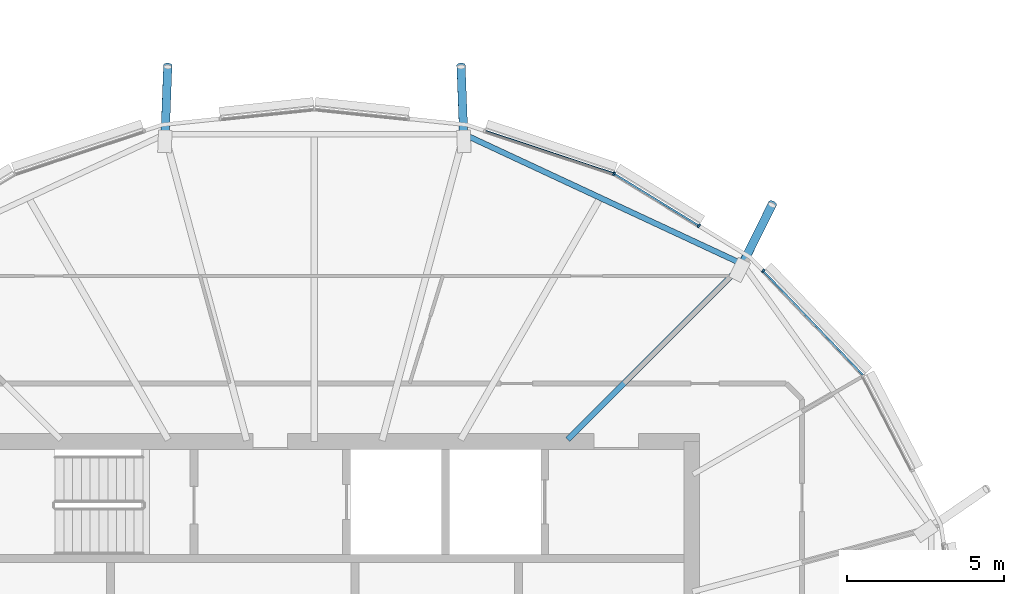
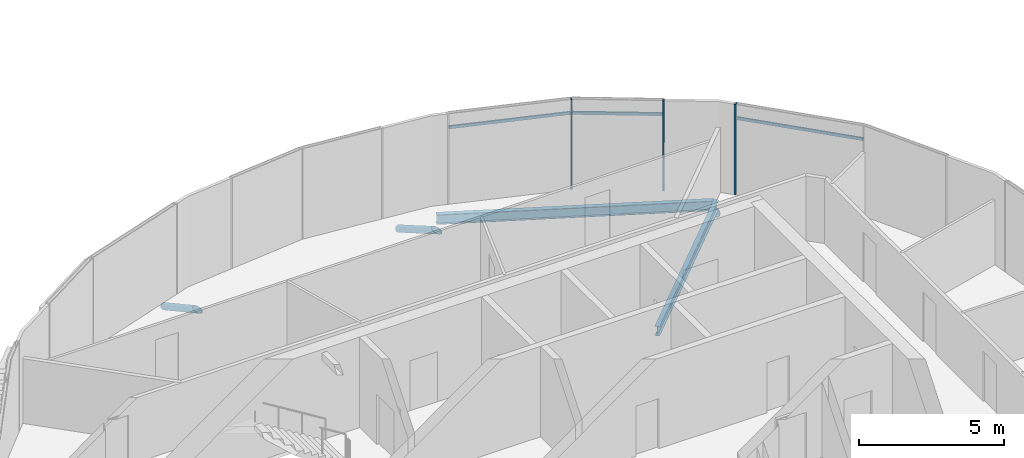
# One storey, part 8 of 35: 9 members, 2 beams, 1 element without a shape of its own.
"""IFC4 building model written with IfcOpenShell, lengths in metres."""

from ifc_helpers import new_model, si_unit, direction, frame, origin, origin_2d, place, context, subcontext, project, spatial, rectangle, hollow_circle, i_section, extrude, clip, halfspace, material, material_profile, profile_set, type_object, element, aggregate, save


model = new_model("IFC4")

# Units and contexts
model_context = context("Model", 3, precision=1e-05, world=origin(), true_north=direction((0.0, 1.0)))
body_context = subcontext(model_context, "Body", "Model", "MODEL_VIEW")
ifc_project = project(units=[si_unit("LENGTHUNIT", "METRE"), si_unit("AREAUNIT", "SQUARE_METRE"), si_unit("VOLUMEUNIT", "CUBIC_METRE"), si_unit("PLANEANGLEUNIT", "RADIAN"), si_unit("MASSUNIT", "GRAM", prefix="KILO")], contexts=[model_context])

# Site, building, storey
site_placement = place(None, origin())
site = spatial("IfcSite", under=ifc_project, at=site_placement, CompositionType="ELEMENT")
building_placement = place(site_placement, origin())
building = spatial("IfcBuilding", under=site, at=building_placement, Name="Rimbun Link Towers", CompositionType="ELEMENT")
storey_placement = place(building_placement, frame((0.0, 0.0, 225.699951171875)))
storey = spatial("IfcBuildingStorey", under=building, at=storey_placement, Name="L55", CompositionType="ELEMENT", Elevation=225.699951171875)

# Curtain wall, members
ifc_material_1 = material(Name="Aluminium 6063-T6 and low-iron glass", Category="aluminium")
curtain_wall_type = type_object("IfcCurtainWallType", Name="CW1-Z4 unitised vision wall (zone 4)", PredefinedType="NOTDEFINED", material=ifc_material_1)
curtain_wall_placement = place(storey_placement, origin())
curtain_wall = element("IfcCurtainWall", 1, at=curtain_wall_placement, inside=storey, type_object=curtain_wall_type, Name="CW1 L55 T1", PredefinedType="NOTDEFINED")
ifc_material_2 = material(Name="Aluminium 6063-T6", Category="aluminium")
ifc_material_profile_1 = material_profile(ifc_material_2, rectangle(XDim=0.1201171875, YDim=0.06005859375, at=origin_2d()), Name="MULLION 60X120")
ifc_profile_set_1 = profile_set([ifc_material_profile_1], Name="Aluminium 6063-T6")
member_type_1 = type_object("IfcMemberType", Name="CW1 mullion 60X120", PredefinedType="MULLION", material=ifc_profile_set_1)
member_1_placement = place(storey_placement, frame((-17.4765625, 13.42333984375, 0.0), z_axis=(0.0, 0.0, 1.0), x_axis=(0.721853472084, 0.692045926829, 0.0)))
member_1 = element("IfcMember", 2, at=member_1_placement, type_object=member_type_1, Name="CW1 mullion", PredefinedType="MULLION", context=body_context, shape_type="SweptSolid", body=[
    extrude(rectangle(XDim=0.1201171875, YDim=0.06005859375, at=origin_2d()), origin(), (0.0, 0.0, 1.0), 3.800048828125),
])
member_2_placement = place(storey_placement, frame((-22.220458984375, 16.51611328125, 0.0), z_axis=(0.0, 0.0, 1.0), x_axis=(0.421702193119, 0.90673439348, 0.0)))
member_2 = element("IfcMember", 3, at=member_2_placement, type_object=member_type_1, Name="CW1 mullion", PredefinedType="MULLION", context=body_context, shape_type="SweptSolid", body=[
    extrude(rectangle(XDim=0.1201171875, YDim=0.06005859375, at=origin_2d()), origin(), (0.0, 0.0, 1.0), 3.800048828125),
])
member_3_placement = place(storey_placement, frame((-19.522705078125, 14.8603515625, 0.0), z_axis=(0.0, 0.0, 1.0), x_axis=(0.523236839844, 0.852187308888, 0.0)))
member_3 = element("IfcMember", 4, at=member_3_placement, type_object=member_type_1, Name="CW1 mullion", PredefinedType="MULLION", context=body_context, shape_type="SweptSolid", body=[
    extrude(rectangle(XDim=0.1201171875, YDim=0.06005859375, at=origin_2d()), origin(), (0.0, 0.0, 1.0), 3.800048828125),
])
ifc_material_3 = material(Name="Aluminium 6063-T6", Category="aluminium")
ifc_material_profile_2 = material_profile(ifc_material_3, rectangle(XDim=0.06005859375, YDim=0.1201171875, at=origin_2d()), Name="TRANSOM 60X120")
ifc_profile_set_2 = profile_set([ifc_material_profile_2], Name="Aluminium 6063-T6")
member_type_2 = type_object("IfcMemberType", Name="CW1 transom 60X120", PredefinedType="USERDEFINED", material=ifc_profile_set_2)
member_4_placement = place(storey_placement, frame((-17.45703125, 13.400390625, 3.199951171875), z_axis=(0.692048801136, -0.721850716455, 0.0), x_axis=(0.721850716455, 0.692048801136, 0.0)))
member_4 = element("IfcMember", 5, at=member_4_placement, type_object=member_type_2, Name="CW1 transom", ObjectType="TRANSOM", PredefinedType="USERDEFINED", context=body_context, shape_type="SweptSolid", body=[
    extrude(rectangle(XDim=0.06005859375, YDim=0.1201171875, at=origin_2d()), origin(), (0.0, 0.0, 1.0), 4.546630859375),
])
member_5_placement = place(storey_placement, frame((-22.18994140625, 16.49560546875, 3.199951171875), z_axis=(0.852185401851, -0.523239945792, 0.0), x_axis=(0.523239945792, 0.852185401851, 0.0)))
member_5 = element("IfcMember", 6, at=member_5_placement, type_object=member_type_2, Name="CW1 transom", ObjectType="TRANSOM", PredefinedType="USERDEFINED", context=body_context, shape_type="SweptSolid", body=[
    extrude(rectangle(XDim=0.06005859375, YDim=0.1201171875, at=origin_2d()), origin(), (0.0, 0.0, 1.0), 3.0986328125),
])
member_6_placement = place(storey_placement, frame((-26.307373046875, 17.868896484375, 3.199951171875), z_axis=(0.949236712638, -0.31456265414, 0.0), x_axis=(0.31456265414, 0.949236712638, 0.0)))
member_6 = element("IfcMember", 7, at=member_6_placement, type_object=member_type_2, Name="CW1 transom", ObjectType="TRANSOM", PredefinedType="USERDEFINED", context=body_context, shape_type="SweptSolid", body=[
    extrude(rectangle(XDim=0.06005859375, YDim=0.1201171875, at=origin_2d()), origin(), (0.0, 0.0, 1.0), 4.267822265625),
])
aggregate(curtain_wall, [member_1, member_2, member_3, member_4, member_5, member_6])

# Members
ifc_material_4 = material(Name="Steel S355J2H", Category="steel")
ifc_material_profile_3 = material_profile(ifc_material_4, hollow_circle(Radius=0.136474609375, WallThickness=0.012451171875, at=origin_2d()), Name="CHS 273x12.5")
ifc_profile_set_3 = profile_set([ifc_material_profile_3], Name="Steel S355J2H")
member_type_3 = type_object("IfcMemberType", Name="Floor edge link CHS 273x12.5", PredefinedType="BRACE", material=ifc_profile_set_3)
member_7_placement = place(storey_placement, frame((-18.152099609375, 13.597900390625, -0.662841796875), z_axis=(0.380211457704, 0.768215302193, -0.515057760748), x_axis=(-0.896237995712, 0.443573505794, 0.0)))
element("IfcMember", 8, at=member_7_placement, inside=storey, type_object=member_type_3, Name="Floor edge link T1 L55 03", PredefinedType="BRACE", context=body_context, shape_type="Clipping", body=[
    clip(extrude(hollow_circle(Radius=0.136474609375, WallThickness=0.012451171875, at=origin_2d()), frame((0.0, 0.0, -0.473876953125)), (0.0, 0.0, 1.0), 3.04296875), halfspace(frame((0.0, 0.0, -0.22216796875), z_axis=(0.0, 0.85715547195, -0.515057760748)), False)),
])
for number, where, z_axis, x_axis, name in (
    (9, (-27.002197265625, 17.71923828125, -0.79150390625), (-0.033008023375, 0.870503860019, -0.491053459498), (-0.999281875694, -0.037891066343, 0.0), "Floor edge link T1 L55 05"),
    (10, (-36.497802734375, 17.71923828125, -0.79150390625), (0.033008023375, 0.870503860019, -0.491053459498), (-0.999281875694, 0.037891066343, 0.0), "Floor edge link T1 L55 07"),
):
    element("IfcMember", number, at=place(storey_placement, frame(where, z_axis=z_axis, x_axis=x_axis)), inside=storey, type_object=member_type_3, Name=name, PredefinedType="BRACE", context=body_context, shape_type="Clipping", body=[
        clip(extrude(hollow_circle(Radius=0.136474609375, WallThickness=0.012451171875, at=origin_2d()), frame((0.0, 0.0, -0.504638671875)), (0.0, 0.0, 1.0), 3.0859375), halfspace(frame((0.0, 0.0, -0.237060546875), z_axis=(0.0, 0.871129439243, -0.491053459498)), False)),
    ])

# Beams
ifc_material_5 = material(Name="Steel S355J2", Category="steel")
ifc_material_profile_4 = material_profile(ifc_material_5, i_section(OverallWidth=0.177978515625, OverallDepth=0.406494140625, WebThickness=0.0078125, FlangeThickness=0.0126953125, at=origin_2d()), Name="UB 406x178x60")
ifc_profile_set_4 = profile_set([ifc_material_profile_4], Name="Steel S355J2")
beam_type = type_object("IfcBeamType", Name="UB 406x178x60", PredefinedType="BEAM", material=ifc_profile_set_4)
beam_1_placement = place(storey_placement, frame((-23.686279296875, 8.063720703125, -0.34326171875), z_axis=(0.707106781187, 0.707106781187, 0.0), x_axis=(-0.707106781187, 0.707106781187, 0.0)))
element("IfcBeam", 11, at=beam_1_placement, inside=storey, type_object=beam_type, Name="Radial beam T1 L55 03", PredefinedType="BEAM", context=body_context, shape_type="SweptSolid", body=[
    extrude(i_section(OverallWidth=0.177978515625, OverallDepth=0.406494140625, WebThickness=0.0078125, FlangeThickness=0.0126953125, at=origin_2d()), origin(), (0.0, 0.0, 1.0), 7.87646484375),
])
beam_2_placement = place(storey_placement, frame((-18.20361328125, 13.673583984375, -0.34326171875), z_axis=(-0.906424399084, 0.422368096269, 0.0), x_axis=(-0.422368096269, -0.906424399084, 0.0)))
element("IfcBeam", 12, at=beam_2_placement, inside=storey, type_object=beam_type, Name="Edge beam T1 L55 03-05", PredefinedType="BEAM", context=body_context, shape_type="SweptSolid", body=[
    extrude(i_section(OverallWidth=0.177978515625, OverallDepth=0.406494140625, WebThickness=0.0078125, FlangeThickness=0.0126953125, at=origin_2d()), origin(), (0.0, 0.0, 1.0), 9.58544921875),
])

save(model, "model.ifc")
